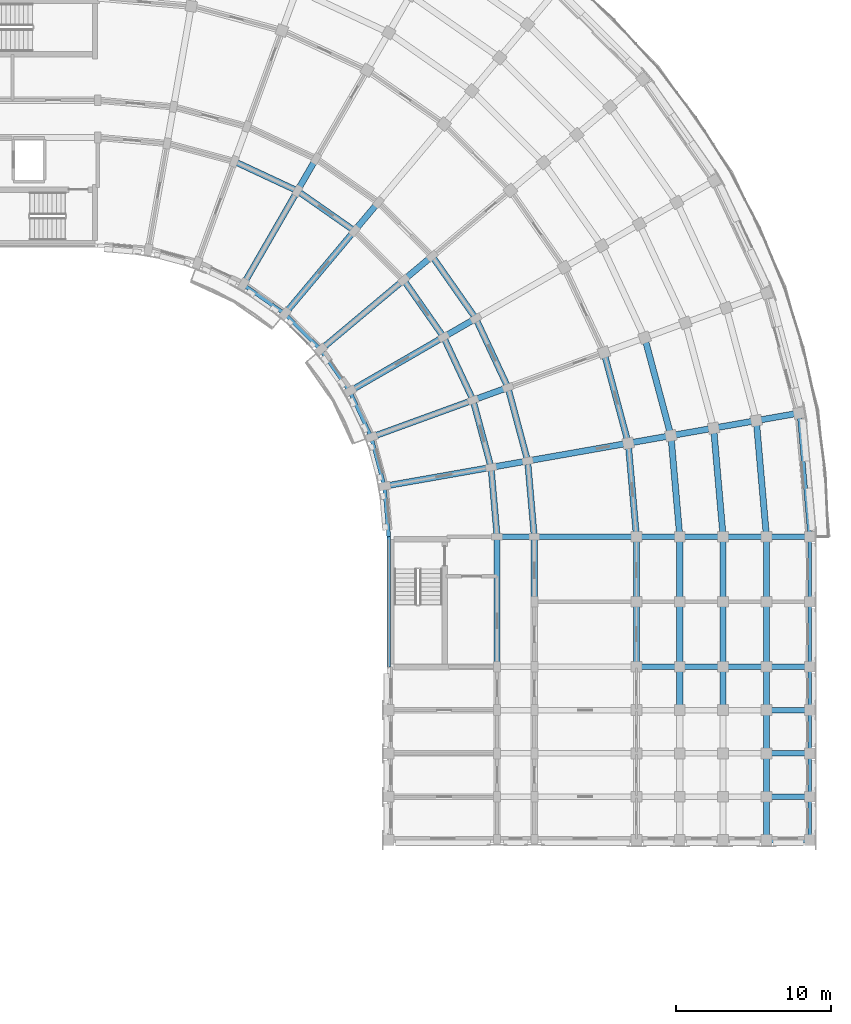
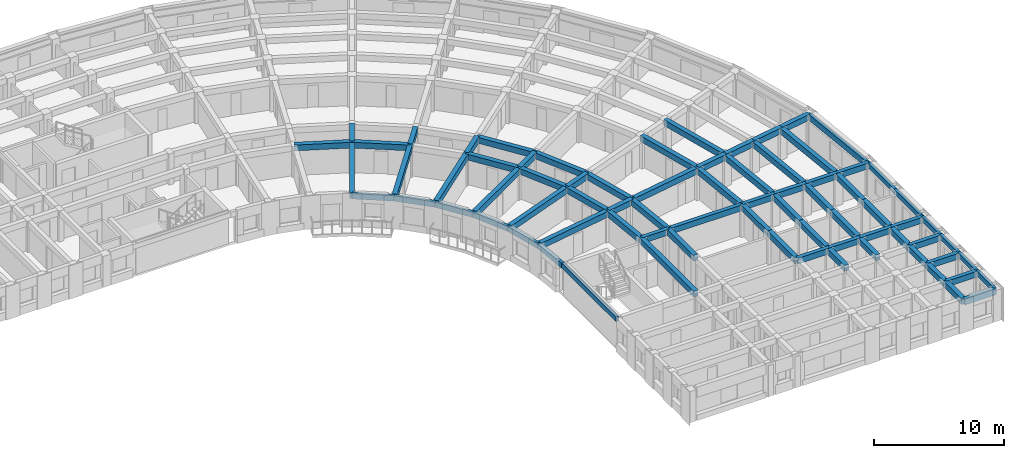
# One storey, part 12 of 57: 77 beams.
"""IFC4 building model written with IfcOpenShell, lengths in metres."""

from ifc_helpers import new_model, si_unit, direction, frame, origin, origin_2d, place, context, subcontext, project, spatial, rectangle, extrude, material, material_profile, profile_set, type_object, element, save


model = new_model("IFC4")

# Units and contexts
model_context = context("Model", 3, precision=1e-05, world=origin(), true_north=direction((0.0, 1.0)))
body_context = subcontext(model_context, "Body", "Model", "MODEL_VIEW")
ifc_project = project(units=[si_unit("LENGTHUNIT", "METRE"), si_unit("AREAUNIT", "SQUARE_METRE"), si_unit("VOLUMEUNIT", "CUBIC_METRE"), si_unit("PLANEANGLEUNIT", "RADIAN"), si_unit("MASSUNIT", "GRAM", prefix="KILO")], contexts=[model_context])

# Site, building, storey
site_placement = place(None, origin())
site = spatial("IfcSite", under=ifc_project, at=site_placement, CompositionType="ELEMENT")
building_placement = place(site_placement, origin())
building = spatial("IfcBuilding", under=site, at=building_placement, Name="Kiranvali Square Residences", CompositionType="ELEMENT")
storey_placement = place(building_placement, frame((0.0, 0.0, 18.14990234375)))
storey = spatial("IfcBuildingStorey", under=building, at=storey_placement, Name="L05", CompositionType="ELEMENT", Elevation=18.14990234375)

# Beams
ifc_material_1 = material(Name="Concrete M40 (40 MPa)", Category="concrete")
ifc_material_profile_1 = material_profile(ifc_material_1, rectangle(XDim=0.35009765625, YDim=0.550048828125, at=origin_2d()), Name="RC 350x550")
ifc_profile_set_1 = profile_set([ifc_material_profile_1], Name="Concrete M40 (40 MPa)")
beam_type_1 = type_object("IfcBeamType", Name="BM-M40-350x550", PredefinedType="BEAM", material=ifc_profile_set_1)
beam_1_placement = place(storey_placement, frame((145.60009765625, 87.800048828125, 2.655029296875), z_axis=(1.0, 0.0, 0.0), x_axis=(0.0, 1.0, 0.0)))
element("IfcBeam", 1, at=beam_1_placement, inside=storey, type_object=beam_type_1, Name="L05 beam BM-B-L05-A2T0-12", PredefinedType="BEAM", context=body_context, shape_type="SweptSolid", body=[
    extrude(rectangle(XDim=0.35009765625, YDim=0.550048828125, at=origin_2d()), origin(), (0.0, 0.0, 1.0), 2.39990234375),
])
beam_2_placement = place(storey_placement, frame((148.0, 87.800048828125, 2.655029296875), z_axis=(1.0, 0.0, 0.0), x_axis=(0.0, 1.0, 0.0)))
element("IfcBeam", 2, at=beam_2_placement, inside=storey, type_object=beam_type_1, Name="L05 beam BM-B-L05-A2T0-23", PredefinedType="BEAM", context=body_context, shape_type="SweptSolid", body=[
    extrude(rectangle(XDim=0.35009765625, YDim=0.550048828125, at=origin_2d()), origin(), (0.0, 0.0, 1.0), 6.60009765625),
])
beam_3_placement = place(storey_placement, frame((154.60009765625, 87.800048828125, 2.655029296875), z_axis=(1.0, 0.0, 0.0), x_axis=(0.0, 1.0, 0.0)))
element("IfcBeam", 3, at=beam_3_placement, inside=storey, type_object=beam_type_1, Name="L05 beam BM-B-L05-A2T0-34", PredefinedType="BEAM", context=body_context, shape_type="SweptSolid", body=[
    extrude(rectangle(XDim=0.35009765625, YDim=0.550048828125, at=origin_2d()), origin(), (0.0, 0.0, 1.0), 2.7998046875),
])
for number, where, z_axis, x_axis, name in (
    (4, (157.39990234375, 87.800048828125, 2.655029296875), (1.0, 0.0, 0.0), (0.0, 1.0, 0.0), "L05 beam BM-B-L05-A2T0-45"),
    (5, (160.199951171875, 87.800048828125, 2.655029296875), (1.0, 0.0, 0.0), (0.0, 1.0, 0.0), "L05 beam BM-B-L05-A2T0-56"),
    (6, (163.0, 87.800048828125, 2.655029296875), (1.0, 0.0, 0.0), (0.0, 1.0, 0.0), "L05 beam BM-B-L05-A2T0-67"),
):
    element("IfcBeam", number, at=place(storey_placement, frame(where, z_axis=z_axis, x_axis=x_axis)), inside=storey, type_object=beam_type_1, Name=name, PredefinedType="BEAM", context=body_context, shape_type="SweptSolid", body=[
        extrude(rectangle(XDim=0.35009765625, YDim=0.550048828125, at=origin_2d()), origin(), (0.0, 0.0, 1.0), 2.800048828125),
    ])
beam_4_placement = place(storey_placement, frame((154.60009765625, 79.39990234375, 2.655029296875), z_axis=(1.0, 0.0, 0.0), x_axis=(0.0, 1.0, 0.0)))
element("IfcBeam", 7, at=beam_4_placement, inside=storey, type_object=beam_type_1, Name="L05 beam BM-B-L05-A2T1-34", PredefinedType="BEAM", context=body_context, shape_type="SweptSolid", body=[
    extrude(rectangle(XDim=0.35009765625, YDim=0.550048828125, at=origin_2d()), origin(), (0.0, 0.0, 1.0), 2.7998046875),
])
for number, where, z_axis, x_axis, name in (
    (8, (157.39990234375, 79.39990234375, 2.655029296875), (1.0, 0.0, 0.0), (0.0, 1.0, 0.0), "L05 beam BM-B-L05-A2T1-45"),
    (9, (160.199951171875, 79.39990234375, 2.655029296875), (1.0, 0.0, 0.0), (0.0, 1.0, 0.0), "L05 beam BM-B-L05-A2T1-56"),
    (10, (163.0, 79.39990234375, 2.655029296875), (1.0, 0.0, 0.0), (0.0, 1.0, 0.0), "L05 beam BM-B-L05-A2T1-67"),
    (11, (163.0, 76.60009765625, 2.655029296875), (1.0, 0.0, 0.0), (0.0, 1.0, 0.0), "L05 beam BM-B-L05-A2T2-67"),
    (12, (163.0, 73.800048828125, 2.655029296875), (1.0, 0.0, 0.0), (0.0, 1.0, 0.0), "L05 beam BM-B-L05-A2T3-67"),
    (13, (163.0, 71.0, 2.655029296875), (1.0, 0.0, 0.0), (0.0, 1.0, 0.0), "L05 beam BM-B-L05-A2T4-67"),
    (14, (163.0, 68.199951171875, 2.655029296875), (1.0, 0.0, 0.0), (0.0, 1.0, 0.0), "L05 beam BM-B-L05-A2T5-67"),
):
    element("IfcBeam", number, at=place(storey_placement, frame(where, z_axis=z_axis, x_axis=x_axis)), inside=storey, type_object=beam_type_1, Name=name, PredefinedType="BEAM", context=body_context, shape_type="SweptSolid", body=[
        extrude(rectangle(XDim=0.35009765625, YDim=0.550048828125, at=origin_2d()), origin(), (0.0, 0.0, 1.0), 2.800048828125),
    ])
ifc_material_2 = material(Name="Concrete M45 (45 MPa)", Category="concrete")
ifc_material_profile_2 = material_profile(ifc_material_2, rectangle(XDim=0.39990234375, YDim=0.550048828125, at=origin_2d()), Name="RC 400x550")
ifc_profile_set_2 = profile_set([ifc_material_profile_2], Name="Concrete M45 (45 MPa)")
beam_type_2 = type_object("IfcBeamType", Name="BM-M45-400x550", PredefinedType="BEAM", material=ifc_profile_set_2)
for number, where, z_axis, x_axis, name in (
    (15, (128.6240234375, 112.044189453125, 2.655029296875), (0.906307919131, -0.422617978463, 0.0), (0.422617978463, 0.906307919131, 0.0), "L05 beam BM-B-L05-C02-R1"),
    (16, (132.699951171875, 110.1435546875, 2.655029296875), (0.819155404658, -0.573571637217, 0.0), (0.573571637217, 0.819155404658, 0.0), "L05 beam BM-B-L05-C03-R1"),
    (17, (139.56396484375, 104.384033203125, 2.655029296875), (0.573571637217, -0.819155404658, 0.0), (0.819155404658, 0.573571637217, 0.0), "L05 beam BM-B-L05-C05-R1"),
):
    element("IfcBeam", number, at=place(storey_placement, frame(where, z_axis=z_axis, x_axis=x_axis)), inside=storey, type_object=beam_type_2, Name=name, PredefinedType="BEAM", context=body_context, shape_type="SweptSolid", body=[
        extrude(rectangle(XDim=0.39990234375, YDim=0.550048828125, at=origin_2d()), origin(), (0.0, 0.0, 1.0), 4.497314453125),
    ])
beam_5_placement = place(storey_placement, frame((141.40234375, 105.926513671875, 2.655029296875), z_axis=(0.573592335331, -0.819140911474, 0.0), x_axis=(0.819140911474, 0.573592335331, 0.0)))
element("IfcBeam", 18, at=beam_5_placement, inside=storey, type_object=beam_type_2, Name="L05 beam BM-B-L05-C05-R2", PredefinedType="BEAM", context=body_context, shape_type="SweptSolid", body=[
    extrude(rectangle(XDim=0.39990234375, YDim=0.550048828125, at=origin_2d()), origin(), (0.0, 0.0, 1.0), 4.915771484375),
])
beam_6_placement = place(storey_placement, frame((142.1435546875, 100.699951171875, 2.655029296875), z_axis=(0.422617978463, -0.906307919131, 0.0), x_axis=(0.906307919131, 0.422617978463, 0.0)))
element("IfcBeam", 19, at=beam_6_placement, inside=storey, type_object=beam_type_2, Name="L05 beam BM-B-L05-C06-R1", PredefinedType="BEAM", context=body_context, shape_type="SweptSolid", body=[
    extrude(rectangle(XDim=0.39990234375, YDim=0.550048828125, at=origin_2d()), origin(), (0.0, 0.0, 1.0), 4.497314453125),
])
beam_7_placement = place(storey_placement, frame((144.221923828125, 101.89990234375, 2.655029296875), z_axis=(0.422629854778, -0.906302381024, 0.0), x_axis=(0.906302381024, 0.422629854778, 0.0)))
element("IfcBeam", 20, at=beam_7_placement, inside=storey, type_object=beam_type_2, Name="L05 beam BM-B-L05-C06-R2", PredefinedType="BEAM", context=body_context, shape_type="SweptSolid", body=[
    extrude(rectangle(XDim=0.39990234375, YDim=0.550048828125, at=origin_2d()), origin(), (0.0, 0.0, 1.0), 4.915283203125),
])
beam_8_placement = place(storey_placement, frame((144.044189453125, 96.6240234375, 2.655029296875), z_axis=(0.258787642463, -0.965934240054, 0.0), x_axis=(0.965934240054, 0.258787642463, 0.0)))
element("IfcBeam", 21, at=beam_8_placement, inside=storey, type_object=beam_type_2, Name="L05 beam BM-B-L05-C07-R1", PredefinedType="BEAM", context=body_context, shape_type="SweptSolid", body=[
    extrude(rectangle(XDim=0.39990234375, YDim=0.550048828125, at=origin_2d()), origin(), (0.0, 0.0, 1.0), 4.497314453125),
])
beam_9_placement = place(storey_placement, frame((146.29931640625, 97.445068359375, 2.655029296875), z_axis=(0.258803112091, -0.965930095386, 0.0), x_axis=(0.965930095386, 0.258803112091, 0.0)))
element("IfcBeam", 22, at=beam_9_placement, inside=storey, type_object=beam_type_2, Name="L05 beam BM-B-L05-C07-R2", PredefinedType="BEAM", context=body_context, shape_type="SweptSolid", body=[
    extrude(rectangle(XDim=0.39990234375, YDim=0.550048828125, at=origin_2d()), origin(), (0.0, 0.0, 1.0), 4.915771484375),
])
beam_10_placement = place(storey_placement, frame((152.501220703125, 99.702392578125, 2.655029296875), z_axis=(0.258827283048, -0.965923618901, 0.0), x_axis=(0.965923618901, 0.258827283048, 0.0)))
element("IfcBeam", 23, at=beam_10_placement, inside=storey, type_object=beam_type_2, Name="L05 beam BM-B-L05-C07-R3", PredefinedType="BEAM", context=body_context, shape_type="SweptSolid", body=[
    extrude(rectangle(XDim=0.39990234375, YDim=0.550048828125, at=origin_2d()), origin(), (0.0, 0.0, 1.0), 6.066162109375),
])
beam_11_placement = place(storey_placement, frame((155.13232421875, 100.659912109375, 2.655029296875), z_axis=(0.258847178297, -0.965918287583, 0.0), x_axis=(0.965918287583, 0.258847178297, 0.0)))
element("IfcBeam", 24, at=beam_11_placement, inside=storey, type_object=beam_type_2, Name="L05 beam BM-B-L05-C07-R4", PredefinedType="BEAM", context=body_context, shape_type="SweptSolid", body=[
    extrude(rectangle(XDim=0.39990234375, YDim=0.550048828125, at=origin_2d()), origin(), (0.0, 0.0, 1.0), 6.55419921875),
])
beam_12_placement = place(storey_placement, frame((145.2080078125, 92.280029296875, 2.655029296875), z_axis=(0.087187153726, -0.996191949488, 0.0), x_axis=(0.996191949488, 0.087187153726, 0.0)))
element("IfcBeam", 25, at=beam_12_placement, inside=storey, type_object=beam_type_2, Name="L05 beam BM-B-L05-C08-R1", PredefinedType="BEAM", context=body_context, shape_type="SweptSolid", body=[
    extrude(rectangle(XDim=0.39990234375, YDim=0.550048828125, at=origin_2d()), origin(), (0.0, 0.0, 1.0), 4.4970703125),
])
beam_13_placement = place(storey_placement, frame((147.571533203125, 92.69677734375, 2.655029296875), z_axis=(0.087167566415, -0.996193663584, 0.0), x_axis=(0.996193663584, 0.087167566415, 0.0)))
element("IfcBeam", 26, at=beam_13_placement, inside=storey, type_object=beam_type_2, Name="L05 beam BM-B-L05-C08-R2", PredefinedType="BEAM", context=body_context, shape_type="SweptSolid", body=[
    extrude(rectangle(XDim=0.39990234375, YDim=0.550048828125, at=origin_2d()), origin(), (0.0, 0.0, 1.0), 4.91552734375),
])
beam_14_placement = place(storey_placement, frame((154.0712890625, 93.843017578125, 2.655029296875), z_axis=(0.087174938512, -0.996193018494, 0.0), x_axis=(0.996193018494, 0.087174938512, 0.0)))
element("IfcBeam", 27, at=beam_14_placement, inside=storey, type_object=beam_type_2, Name="L05 beam BM-B-L05-C08-R3", PredefinedType="BEAM", context=body_context, shape_type="SweptSolid", body=[
    extrude(rectangle(XDim=0.39990234375, YDim=0.550048828125, at=origin_2d()), origin(), (0.0, 0.0, 1.0), 6.066162109375),
])
beam_15_placement = place(storey_placement, frame((156.828857421875, 94.3291015625, 2.655029296875), z_axis=(0.0871295204, -0.996196991902, 0.0), x_axis=(0.996196991902, 0.0871295204, 0.0)))
element("IfcBeam", 28, at=beam_15_placement, inside=storey, type_object=beam_type_2, Name="L05 beam BM-B-L05-C08-R4", PredefinedType="BEAM", context=body_context, shape_type="SweptSolid", body=[
    extrude(rectangle(XDim=0.39990234375, YDim=0.550048828125, at=origin_2d()), origin(), (0.0, 0.0, 1.0), 6.553955078125),
])
beam_16_placement = place(storey_placement, frame((159.586181640625, 94.8154296875, 2.655029296875), z_axis=(0.087156198737, -0.996194658198, 0.0), x_axis=(0.996194658198, 0.087156198737, 0.0)))
element("IfcBeam", 29, at=beam_16_placement, inside=storey, type_object=beam_type_2, Name="L05 beam BM-B-L05-C08-R5", PredefinedType="BEAM", context=body_context, shape_type="SweptSolid", body=[
    extrude(rectangle(XDim=0.39990234375, YDim=0.550048828125, at=origin_2d()), origin(), (0.0, 0.0, 1.0), 7.042236328125),
])
beam_17_placement = place(storey_placement, frame((162.34375, 95.301513671875, 2.655029296875), z_axis=(0.087150058103, -0.996195195417, 0.0), x_axis=(0.996195195417, 0.087150058103, 0.0)))
element("IfcBeam", 30, at=beam_17_placement, inside=storey, type_object=beam_type_2, Name="L05 beam BM-B-L05-C08-R6", PredefinedType="BEAM", context=body_context, shape_type="SweptSolid", body=[
    extrude(rectangle(XDim=0.39990234375, YDim=0.550048828125, at=origin_2d()), origin(), (0.0, 0.0, 1.0), 7.530029296875),
])
beam_18_placement = place(storey_placement, frame((129.199951171875, 104.081298828125, 2.655029296875), z_axis=(0.499995173006, 0.866028190633, 0.0), x_axis=(-0.866028190633, 0.499995173006, 0.0)))
element("IfcBeam", 31, at=beam_18_placement, inside=storey, type_object=beam_type_2, Name="L05 beam BM-B-L05-RAD03-01", PredefinedType="BEAM", context=body_context, shape_type="SweptSolid", body=[
    extrude(rectangle(XDim=0.39990234375, YDim=0.550048828125, at=origin_2d()), origin(), (0.0, 0.0, 1.0), 7.0),
])
beam_19_placement = place(storey_placement, frame((132.699951171875, 110.1435546875, 2.655029296875), z_axis=(0.500001309137, 0.866024647952, 0.0), x_axis=(-0.866024647952, 0.500001309137, 0.0)))
element("IfcBeam", 32, at=beam_19_placement, inside=storey, type_object=beam_type_2, Name="L05 beam BM-B-L05-RAD03-12", PredefinedType="BEAM", context=body_context, shape_type="SweptSolid", body=[
    extrude(rectangle(XDim=0.39990234375, YDim=0.550048828125, at=origin_2d()), origin(), (0.0, 0.0, 1.0), 2.39990234375),
])
beam_20_placement = place(storey_placement, frame((131.884521484375, 102.20166015625, 2.655029296875), z_axis=(0.642787931032, 0.766044173478, 0.0), x_axis=(-0.766044173478, 0.642787931032, 0.0)))
element("IfcBeam", 33, at=beam_20_placement, inside=storey, type_object=beam_type_2, Name="L05 beam BM-B-L05-RAD04-01", PredefinedType="BEAM", context=body_context, shape_type="SweptSolid", body=[
    extrude(rectangle(XDim=0.39990234375, YDim=0.550048828125, at=origin_2d()), origin(), (0.0, 0.0, 1.0), 7.0),
])
beam_21_placement = place(storey_placement, frame((136.384033203125, 107.56396484375, 2.655029296875), z_axis=(0.642762521781, 0.766065493671, 0.0), x_axis=(-0.766065493671, 0.642762521781, 0.0)))
element("IfcBeam", 34, at=beam_21_placement, inside=storey, type_object=beam_type_2, Name="L05 beam BM-B-L05-RAD04-12", PredefinedType="BEAM", context=body_context, shape_type="SweptSolid", body=[
    extrude(rectangle(XDim=0.39990234375, YDim=0.550048828125, at=origin_2d()), origin(), (0.0, 0.0, 1.0), 2.399658203125),
])
beam_22_placement = place(storey_placement, frame((134.20166015625, 99.884521484375, 2.655029296875), z_axis=(0.766044173478, 0.642787931032, 0.0), x_axis=(-0.642787931032, 0.766044173478, 0.0)))
element("IfcBeam", 35, at=beam_22_placement, inside=storey, type_object=beam_type_2, Name="L05 beam BM-B-L05-RAD05-01", PredefinedType="BEAM", context=body_context, shape_type="SweptSolid", body=[
    extrude(rectangle(XDim=0.39990234375, YDim=0.550048828125, at=origin_2d()), origin(), (0.0, 0.0, 1.0), 7.0),
])
beam_23_placement = place(storey_placement, frame((139.56396484375, 104.384033203125, 2.655029296875), z_axis=(0.766065493671, 0.642762521781, 0.0), x_axis=(-0.642762521781, 0.766065493671, 0.0)))
element("IfcBeam", 36, at=beam_23_placement, inside=storey, type_object=beam_type_2, Name="L05 beam BM-B-L05-RAD05-12", PredefinedType="BEAM", context=body_context, shape_type="SweptSolid", body=[
    extrude(rectangle(XDim=0.39990234375, YDim=0.550048828125, at=origin_2d()), origin(), (0.0, 0.0, 1.0), 2.399658203125),
])
beam_24_placement = place(storey_placement, frame((136.081298828125, 97.199951171875, 2.655029296875), z_axis=(0.866028190633, 0.499995173006, 0.0), x_axis=(-0.499995173006, 0.866028190633, 0.0)))
element("IfcBeam", 37, at=beam_24_placement, inside=storey, type_object=beam_type_2, Name="L05 beam BM-B-L05-RAD06-01", PredefinedType="BEAM", context=body_context, shape_type="SweptSolid", body=[
    extrude(rectangle(XDim=0.39990234375, YDim=0.550048828125, at=origin_2d()), origin(), (0.0, 0.0, 1.0), 7.0),
])
beam_25_placement = place(storey_placement, frame((142.1435546875, 100.699951171875, 2.655029296875), z_axis=(0.866024647952, 0.500001309137, 0.0), x_axis=(-0.500001309137, 0.866024647952, 0.0)))
element("IfcBeam", 38, at=beam_25_placement, inside=storey, type_object=beam_type_2, Name="L05 beam BM-B-L05-RAD06-12", PredefinedType="BEAM", context=body_context, shape_type="SweptSolid", body=[
    extrude(rectangle(XDim=0.39990234375, YDim=0.550048828125, at=origin_2d()), origin(), (0.0, 0.0, 1.0), 2.39990234375),
])
beam_26_placement = place(storey_placement, frame((137.46630859375, 94.22998046875, 2.655029296875), z_axis=(0.939697665127, 0.342006283793, 0.0), x_axis=(-0.342006283793, 0.939697665127, 0.0)))
element("IfcBeam", 39, at=beam_26_placement, inside=storey, type_object=beam_type_2, Name="L05 beam BM-B-L05-RAD07-01", PredefinedType="BEAM", context=body_context, shape_type="SweptSolid", body=[
    extrude(rectangle(XDim=0.39990234375, YDim=0.550048828125, at=origin_2d()), origin(), (0.0, 0.0, 1.0), 7.0),
])
beam_27_placement = place(storey_placement, frame((144.044189453125, 96.6240234375, 2.655029296875), z_axis=(0.939659694648, 0.342110593602, 0.0), x_axis=(-0.342110593602, 0.939659694648, 0.0)))
element("IfcBeam", 40, at=beam_27_placement, inside=storey, type_object=beam_type_2, Name="L05 beam BM-B-L05-RAD07-12", PredefinedType="BEAM", context=body_context, shape_type="SweptSolid", body=[
    extrude(rectangle(XDim=0.39990234375, YDim=0.550048828125, at=origin_2d()), origin(), (0.0, 0.0, 1.0), 2.39990234375),
])
beam_28_placement = place(storey_placement, frame((138.314453125, 91.064697265625, 2.655029296875), z_axis=(0.984812337125, 0.173622177865, 0.0), x_axis=(-0.173622177865, 0.984812337125, 0.0)))
element("IfcBeam", 41, at=beam_28_placement, inside=storey, type_object=beam_type_2, Name="L05 beam BM-B-L05-RAD08-01", PredefinedType="BEAM", context=body_context, shape_type="SweptSolid", body=[
    extrude(rectangle(XDim=0.39990234375, YDim=0.550048828125, at=origin_2d()), origin(), (0.0, 0.0, 1.0), 6.999755859375),
])
beam_29_placement = place(storey_placement, frame((145.2080078125, 92.280029296875, 2.655029296875), z_axis=(0.984808127031, 0.173646056486, 0.0), x_axis=(-0.173646056486, 0.984808127031, 0.0)))
element("IfcBeam", 42, at=beam_29_placement, inside=storey, type_object=beam_type_2, Name="L05 beam BM-B-L05-RAD08-12", PredefinedType="BEAM", context=body_context, shape_type="SweptSolid", body=[
    extrude(rectangle(XDim=0.39990234375, YDim=0.550048828125, at=origin_2d()), origin(), (0.0, 0.0, 1.0), 2.39990234375),
])
beam_30_placement = place(storey_placement, frame((147.571533203125, 92.69677734375, 2.655029296875), z_axis=(0.984803661269, 0.173671381499, 0.0), x_axis=(-0.173671381499, 0.984803661269, 0.0)))
element("IfcBeam", 43, at=beam_30_placement, inside=storey, type_object=beam_type_2, Name="L05 beam BM-B-L05-RAD08-23", PredefinedType="BEAM", context=body_context, shape_type="SweptSolid", body=[
    extrude(rectangle(XDim=0.39990234375, YDim=0.550048828125, at=origin_2d()), origin(), (0.0, 0.0, 1.0), 6.60009765625),
])
beam_31_placement = place(storey_placement, frame((154.0712890625, 93.843017578125, 2.655029296875), z_axis=(0.984816895441, 0.173596320392, 0.0), x_axis=(-0.173596320392, 0.984816895441, 0.0)))
element("IfcBeam", 44, at=beam_31_placement, inside=storey, type_object=beam_type_2, Name="L05 beam BM-B-L05-RAD08-34", PredefinedType="BEAM", context=body_context, shape_type="SweptSolid", body=[
    extrude(rectangle(XDim=0.39990234375, YDim=0.550048828125, at=origin_2d()), origin(), (0.0, 0.0, 1.0), 2.800048828125),
])
beam_32_placement = place(storey_placement, frame((156.828857421875, 94.3291015625, 2.655029296875), z_axis=(0.984799355489, 0.173695795656, 0.0), x_axis=(-0.173695795656, 0.984799355489, 0.0)))
element("IfcBeam", 45, at=beam_32_placement, inside=storey, type_object=beam_type_2, Name="L05 beam BM-B-L05-RAD08-45", PredefinedType="BEAM", context=body_context, shape_type="SweptSolid", body=[
    extrude(rectangle(XDim=0.39990234375, YDim=0.550048828125, at=origin_2d()), origin(), (0.0, 0.0, 1.0), 2.7998046875),
])
beam_33_placement = place(storey_placement, frame((159.586181640625, 94.8154296875, 2.655029296875), z_axis=(0.984816895441, 0.173596320392, 0.0), x_axis=(-0.173596320392, 0.984816895441, 0.0)))
element("IfcBeam", 46, at=beam_33_placement, inside=storey, type_object=beam_type_2, Name="L05 beam BM-B-L05-RAD08-56", PredefinedType="BEAM", context=body_context, shape_type="SweptSolid", body=[
    extrude(rectangle(XDim=0.39990234375, YDim=0.550048828125, at=origin_2d()), origin(), (0.0, 0.0, 1.0), 2.800048828125),
])
beam_34_placement = place(storey_placement, frame((162.34375, 95.301513671875, 2.655029296875), z_axis=(0.984799355489, 0.173695795656, 0.0), x_axis=(-0.173695795656, 0.984799355489, 0.0)))
element("IfcBeam", 47, at=beam_34_placement, inside=storey, type_object=beam_type_2, Name="L05 beam BM-B-L05-RAD08-67", PredefinedType="BEAM", context=body_context, shape_type="SweptSolid", body=[
    extrude(rectangle(XDim=0.39990234375, YDim=0.550048828125, at=origin_2d()), origin(), (0.0, 0.0, 1.0), 2.7998046875),
])
beam_35_placement = place(storey_placement, frame((145.60009765625, 87.800048828125, 2.655029296875), z_axis=(0.0, -1.0, 0.0), x_axis=(1.0, 0.0, 0.0)))
element("IfcBeam", 48, at=beam_35_placement, inside=storey, type_object=beam_type_2, Name="L05 beam BM-B-L05-A2V0-R1", PredefinedType="BEAM", context=body_context, shape_type="SweptSolid", body=[
    extrude(rectangle(XDim=0.39990234375, YDim=0.550048828125, at=origin_2d()), origin(), (0.0, 0.0, 1.0), 8.400146484375),
])
for number, where, z_axis, x_axis, name in (
    (49, (148.0, 87.800048828125, 2.655029296875), (0.0, -1.0, 0.0), (1.0, 0.0, 0.0), "L05 beam BM-B-L05-A2V0-R2"),
    (50, (154.60009765625, 87.800048828125, 2.655029296875), (0.0, -1.0, 0.0), (1.0, 0.0, 0.0), "L05 beam BM-B-L05-A2V0-R3"),
):
    element("IfcBeam", number, at=place(storey_placement, frame(where, z_axis=z_axis, x_axis=x_axis)), inside=storey, type_object=beam_type_2, Name=name, PredefinedType="BEAM", context=body_context, shape_type="SweptSolid", body=[
        extrude(rectangle(XDim=0.39990234375, YDim=0.550048828125, at=origin_2d()), origin(), (0.0, 0.0, 1.0), 4.199951171875),
    ])
beam_36_placement = place(storey_placement, frame((154.60009765625, 83.60009765625, 2.655029296875), z_axis=(0.0, -1.0, 0.0), x_axis=(1.0, 0.0, 0.0)))
element("IfcBeam", 51, at=beam_36_placement, inside=storey, type_object=beam_type_2, Name="L05 beam BM-B-L05-A2V1-R3", PredefinedType="BEAM", context=body_context, shape_type="SweptSolid", body=[
    extrude(rectangle(XDim=0.39990234375, YDim=0.550048828125, at=origin_2d()), origin(), (0.0, 0.0, 1.0), 4.2001953125),
])
beam_37_placement = place(storey_placement, frame((157.39990234375, 87.800048828125, 2.655029296875), z_axis=(0.0, -1.0, 0.0), x_axis=(1.0, 0.0, 0.0)))
element("IfcBeam", 52, at=beam_37_placement, inside=storey, type_object=beam_type_2, Name="L05 beam BM-B-L05-A2V0-R4", PredefinedType="BEAM", context=body_context, shape_type="SweptSolid", body=[
    extrude(rectangle(XDim=0.39990234375, YDim=0.550048828125, at=origin_2d()), origin(), (0.0, 0.0, 1.0), 4.199951171875),
])
beam_38_placement = place(storey_placement, frame((157.39990234375, 83.60009765625, 2.655029296875), z_axis=(0.0, -1.0, 0.0), x_axis=(1.0, 0.0, 0.0)))
element("IfcBeam", 53, at=beam_38_placement, inside=storey, type_object=beam_type_2, Name="L05 beam BM-B-L05-A2V1-R4", PredefinedType="BEAM", context=body_context, shape_type="SweptSolid", body=[
    extrude(rectangle(XDim=0.39990234375, YDim=0.550048828125, at=origin_2d()), origin(), (0.0, 0.0, 1.0), 4.2001953125),
])
beam_39_placement = place(storey_placement, frame((157.39990234375, 79.39990234375, 2.655029296875), z_axis=(0.0, -1.0, 0.0), x_axis=(1.0, 0.0, 0.0)))
element("IfcBeam", 54, at=beam_39_placement, inside=storey, type_object=beam_type_2, Name="L05 beam BM-B-L05-A2V2-R4", PredefinedType="BEAM", context=body_context, shape_type="SweptSolid", body=[
    extrude(rectangle(XDim=0.39990234375, YDim=0.550048828125, at=origin_2d()), origin(), (0.0, 0.0, 1.0), 2.7998046875),
])
beam_40_placement = place(storey_placement, frame((160.199951171875, 87.800048828125, 2.655029296875), z_axis=(0.0, -1.0, 0.0), x_axis=(1.0, 0.0, 0.0)))
element("IfcBeam", 55, at=beam_40_placement, inside=storey, type_object=beam_type_2, Name="L05 beam BM-B-L05-A2V0-R5", PredefinedType="BEAM", context=body_context, shape_type="SweptSolid", body=[
    extrude(rectangle(XDim=0.39990234375, YDim=0.550048828125, at=origin_2d()), origin(), (0.0, 0.0, 1.0), 4.199951171875),
])
beam_41_placement = place(storey_placement, frame((160.199951171875, 83.60009765625, 2.655029296875), z_axis=(0.0, -1.0, 0.0), x_axis=(1.0, 0.0, 0.0)))
element("IfcBeam", 56, at=beam_41_placement, inside=storey, type_object=beam_type_2, Name="L05 beam BM-B-L05-A2V1-R5", PredefinedType="BEAM", context=body_context, shape_type="SweptSolid", body=[
    extrude(rectangle(XDim=0.39990234375, YDim=0.550048828125, at=origin_2d()), origin(), (0.0, 0.0, 1.0), 4.2001953125),
])
beam_42_placement = place(storey_placement, frame((160.199951171875, 79.39990234375, 2.655029296875), z_axis=(0.0, -1.0, 0.0), x_axis=(1.0, 0.0, 0.0)))
element("IfcBeam", 57, at=beam_42_placement, inside=storey, type_object=beam_type_2, Name="L05 beam BM-B-L05-A2V2-R5", PredefinedType="BEAM", context=body_context, shape_type="SweptSolid", body=[
    extrude(rectangle(XDim=0.39990234375, YDim=0.550048828125, at=origin_2d()), origin(), (0.0, 0.0, 1.0), 2.7998046875),
])
beam_43_placement = place(storey_placement, frame((163.0, 87.800048828125, 2.655029296875), z_axis=(0.0, -1.0, 0.0), x_axis=(1.0, 0.0, 0.0)))
element("IfcBeam", 58, at=beam_43_placement, inside=storey, type_object=beam_type_2, Name="L05 beam BM-B-L05-A2V0-R6", PredefinedType="BEAM", context=body_context, shape_type="SweptSolid", body=[
    extrude(rectangle(XDim=0.39990234375, YDim=0.550048828125, at=origin_2d()), origin(), (0.0, 0.0, 1.0), 4.199951171875),
])
beam_44_placement = place(storey_placement, frame((163.0, 83.60009765625, 2.655029296875), z_axis=(0.0, -1.0, 0.0), x_axis=(1.0, 0.0, 0.0)))
element("IfcBeam", 59, at=beam_44_placement, inside=storey, type_object=beam_type_2, Name="L05 beam BM-B-L05-A2V1-R6", PredefinedType="BEAM", context=body_context, shape_type="SweptSolid", body=[
    extrude(rectangle(XDim=0.39990234375, YDim=0.550048828125, at=origin_2d()), origin(), (0.0, 0.0, 1.0), 4.2001953125),
])
beam_45_placement = place(storey_placement, frame((163.0, 79.39990234375, 2.655029296875), z_axis=(0.0, -1.0, 0.0), x_axis=(1.0, 0.0, 0.0)))
element("IfcBeam", 60, at=beam_45_placement, inside=storey, type_object=beam_type_2, Name="L05 beam BM-B-L05-A2V2-R6", PredefinedType="BEAM", context=body_context, shape_type="SweptSolid", body=[
    extrude(rectangle(XDim=0.39990234375, YDim=0.550048828125, at=origin_2d()), origin(), (0.0, 0.0, 1.0), 2.7998046875),
])
for number, where, z_axis, x_axis, name in (
    (61, (163.0, 76.60009765625, 2.655029296875), (0.0, -1.0, 0.0), (1.0, 0.0, 0.0), "L05 beam BM-B-L05-A2V3-R6"),
    (62, (163.0, 73.800048828125, 2.655029296875), (0.0, -1.0, 0.0), (1.0, 0.0, 0.0), "L05 beam BM-B-L05-A2V4-R6"),
    (63, (163.0, 71.0, 2.655029296875), (0.0, -1.0, 0.0), (1.0, 0.0, 0.0), "L05 beam BM-B-L05-A2V5-R6"),
):
    element("IfcBeam", number, at=place(storey_placement, frame(where, z_axis=z_axis, x_axis=x_axis)), inside=storey, type_object=beam_type_2, Name=name, PredefinedType="BEAM", context=body_context, shape_type="SweptSolid", body=[
        extrude(rectangle(XDim=0.39990234375, YDim=0.550048828125, at=origin_2d()), origin(), (0.0, 0.0, 1.0), 2.800048828125),
    ])
ifc_material_profile_3 = material_profile(ifc_material_1, rectangle(XDim=0.25, YDim=0.449951171875, at=origin_2d()), Name="RC 250x450")
ifc_profile_set_3 = profile_set([ifc_material_profile_3], Name="Concrete M40 (40 MPa)")
beam_type_3 = type_object("IfcBeamType", Name="SPN-M40-250x450", PredefinedType="SPANDREL", material=ifc_profile_set_3)
beam_46_placement = place(storey_placement, frame((138.60009765625, 87.800048828125, 2.705078125), z_axis=(0.0, -1.0, 0.0), x_axis=(1.0, 0.0, 0.0)))
element("IfcBeam", 64, at=beam_46_placement, inside=storey, type_object=beam_type_3, Name="L05 beam BM-B-L05-A2V0-R0", PredefinedType="SPANDREL", context=body_context, shape_type="SweptSolid", body=[
    extrude(rectangle(XDim=0.25, YDim=0.449951171875, at=origin_2d()), origin(), (0.0, 0.0, 1.0), 8.400146484375),
])
beam_47_placement = place(storey_placement, frame((165.800048828125, 87.800048828125, 2.705078125), z_axis=(0.0, -1.0, 0.0), x_axis=(1.0, 0.0, 0.0)))
element("IfcBeam", 65, at=beam_47_placement, inside=storey, type_object=beam_type_3, Name="L05 beam BM-B-L05-A2V0-R7", PredefinedType="SPANDREL", context=body_context, shape_type="SweptSolid", body=[
    extrude(rectangle(XDim=0.25, YDim=0.449951171875, at=origin_2d()), origin(), (0.0, 0.0, 1.0), 4.199951171875),
])
beam_48_placement = place(storey_placement, frame((165.800048828125, 83.60009765625, 2.705078125), z_axis=(0.0, -1.0, 0.0), x_axis=(1.0, 0.0, 0.0)))
element("IfcBeam", 66, at=beam_48_placement, inside=storey, type_object=beam_type_3, Name="L05 beam BM-B-L05-A2V1-R7", PredefinedType="SPANDREL", context=body_context, shape_type="SweptSolid", body=[
    extrude(rectangle(XDim=0.25, YDim=0.449951171875, at=origin_2d()), origin(), (0.0, 0.0, 1.0), 4.2001953125),
])
beam_49_placement = place(storey_placement, frame((165.800048828125, 79.39990234375, 2.705078125), z_axis=(0.0, -1.0, 0.0), x_axis=(1.0, 0.0, 0.0)))
element("IfcBeam", 67, at=beam_49_placement, inside=storey, type_object=beam_type_3, Name="L05 beam BM-B-L05-A2V2-R7", PredefinedType="SPANDREL", context=body_context, shape_type="SweptSolid", body=[
    extrude(rectangle(XDim=0.25, YDim=0.449951171875, at=origin_2d()), origin(), (0.0, 0.0, 1.0), 2.7998046875),
])
for number, where, z_axis, x_axis, name in (
    (68, (165.800048828125, 76.60009765625, 2.705078125), (0.0, -1.0, 0.0), (1.0, 0.0, 0.0), "L05 beam BM-B-L05-A2V3-R7"),
    (69, (165.800048828125, 73.800048828125, 2.705078125), (0.0, -1.0, 0.0), (1.0, 0.0, 0.0), "L05 beam BM-B-L05-A2V4-R7"),
    (70, (165.800048828125, 71.0, 2.705078125), (0.0, -1.0, 0.0), (1.0, 0.0, 0.0), "L05 beam BM-B-L05-A2V5-R7"),
):
    element("IfcBeam", number, at=place(storey_placement, frame(where, z_axis=z_axis, x_axis=x_axis)), inside=storey, type_object=beam_type_3, Name=name, PredefinedType="SPANDREL", context=body_context, shape_type="SweptSolid", body=[
        extrude(rectangle(XDim=0.25, YDim=0.449951171875, at=origin_2d()), origin(), (0.0, 0.0, 1.0), 2.800048828125),
    ])
ifc_material_profile_4 = material_profile(ifc_material_1, rectangle(XDim=0.25, YDim=0.5, at=origin_2d()), Name="RC 250x500")
ifc_profile_set_4 = profile_set([ifc_material_profile_4], Name="Concrete M40 (40 MPa)")
beam_type_4 = type_object("IfcBeamType", Name="SPN-M40-250x500", PredefinedType="SPANDREL", material=ifc_profile_set_4)
beam_50_placement = place(storey_placement, frame((129.199951171875, 104.081298828125, 2.68017578125), z_axis=(0.81916891812, -0.573552337269, 0.0), x_axis=(0.573552337269, 0.81916891812, 0.0)))
element("IfcBeam", 71, at=beam_50_placement, inside=storey, type_object=beam_type_4, Name="L05 beam BM-B-L05-C03-R0", PredefinedType="SPANDREL", context=body_context, shape_type="SweptSolid", body=[
    extrude(rectangle(XDim=0.25, YDim=0.5, at=origin_2d()), origin(), (0.0, 0.0, 1.0), 3.277099609375),
])
beam_51_placement = place(storey_placement, frame((131.884521484375, 102.20166015625, 2.68017578125), z_axis=(0.707106781187, -0.707106781187, 0.0), x_axis=(0.707106781187, 0.707106781187, 0.0)))
element("IfcBeam", 72, at=beam_51_placement, inside=storey, type_object=beam_type_4, Name="L05 beam BM-B-L05-C04-R0", PredefinedType="SPANDREL", context=body_context, shape_type="SweptSolid", body=[
    extrude(rectangle(XDim=0.25, YDim=0.5, at=origin_2d()), origin(), (0.0, 0.0, 1.0), 3.27685546875),
])
for number, where, z_axis, x_axis, name in (
    (73, (134.20166015625, 99.884521484375, 2.68017578125), (0.573552337269, -0.81916891812, 0.0), (0.81916891812, 0.573552337269, 0.0), "L05 beam BM-B-L05-C05-R0"),
    (74, (136.081298828125, 97.199951171875, 2.68017578125), (0.422640740585, -0.90629730464, 0.0), (0.90629730464, 0.422640740585, 0.0), "L05 beam BM-B-L05-C06-R0"),
):
    element("IfcBeam", number, at=place(storey_placement, frame(where, z_axis=z_axis, x_axis=x_axis)), inside=storey, type_object=beam_type_4, Name=name, PredefinedType="SPANDREL", context=body_context, shape_type="SweptSolid", body=[
        extrude(rectangle(XDim=0.25, YDim=0.5, at=origin_2d()), origin(), (0.0, 0.0, 1.0), 3.277099609375),
    ])
beam_52_placement = place(storey_placement, frame((137.46630859375, 94.22998046875, 2.68017578125), z_axis=(0.258821736607, -0.965925105099, 0.0), x_axis=(0.965925105099, 0.258821736607, 0.0)))
element("IfcBeam", 75, at=beam_52_placement, inside=storey, type_object=beam_type_4, Name="L05 beam BM-B-L05-C07-R0", PredefinedType="SPANDREL", context=body_context, shape_type="SweptSolid", body=[
    extrude(rectangle(XDim=0.25, YDim=0.5, at=origin_2d()), origin(), (0.0, 0.0, 1.0), 3.27685546875),
])
beam_53_placement = place(storey_placement, frame((138.314453125, 91.064697265625, 2.68017578125), z_axis=(0.087163253657, -0.996194040944, 0.0), x_axis=(0.996194040944, 0.087163253657, 0.0)))
element("IfcBeam", 76, at=beam_53_placement, inside=storey, type_object=beam_type_4, Name="L05 beam BM-B-L05-C08-R0", PredefinedType="SPANDREL", context=body_context, shape_type="SweptSolid", body=[
    extrude(rectangle(XDim=0.25, YDim=0.5, at=origin_2d()), origin(), (0.0, 0.0, 1.0), 3.277099609375),
])
ifc_material_profile_5 = material_profile(ifc_material_1, rectangle(XDim=0.25, YDim=0.550048828125, at=origin_2d()), Name="RC 250x550")
ifc_profile_set_5 = profile_set([ifc_material_profile_5], Name="Concrete M40 (40 MPa)")
beam_type_5 = type_object("IfcBeamType", Name="SPN-M40-250x550", PredefinedType="SPANDREL", material=ifc_profile_set_5)
beam_54_placement = place(storey_placement, frame((165.10107421875, 95.787841796875, 2.655029296875), z_axis=(0.087172238171, -0.996193254792, 0.0), x_axis=(0.996193254792, 0.087172238171, 0.0)))
element("IfcBeam", 77, at=beam_54_placement, inside=storey, type_object=beam_type_5, Name="L05 beam BM-B-L05-C08-R7", PredefinedType="SPANDREL", context=body_context, shape_type="SweptSolid", body=[
    extrude(rectangle(XDim=0.25, YDim=0.550048828125, at=origin_2d()), origin(), (0.0, 0.0, 1.0), 8.018310546875),
])

save(model, "model.ifc")
